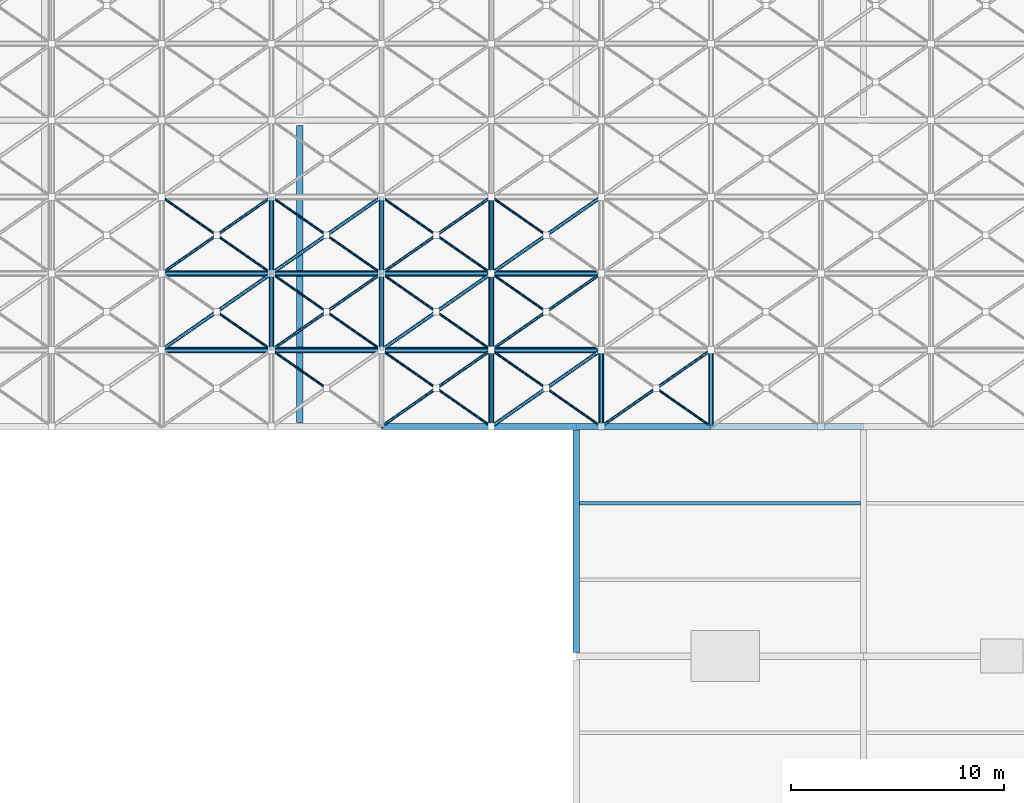
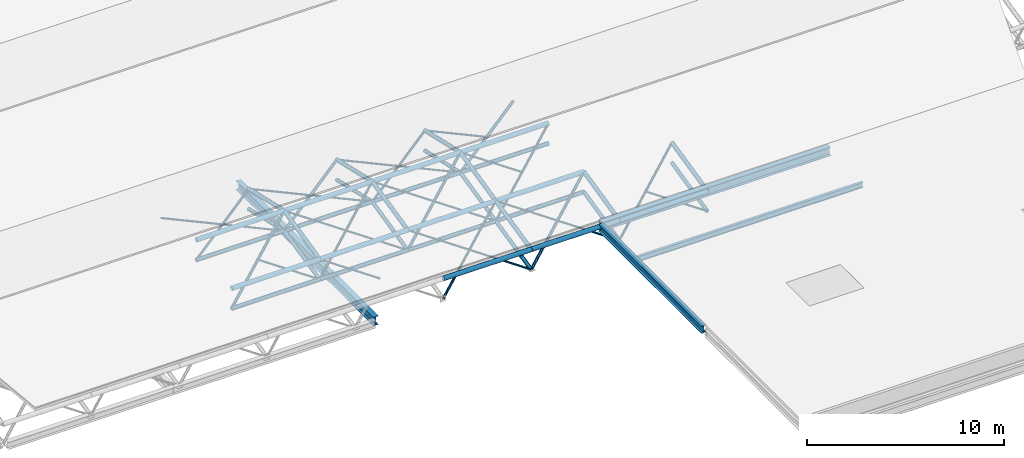
# One storey, part 35 of 110: 67 members, 4 beams.
"""IFC4 building model written with IfcOpenShell, lengths in metres."""

from ifc_helpers import new_model, si_unit, direction, frame, origin, origin_2d, place, context, subcontext, project, spatial, hollow_circle, i_section, extrude, material, material_profile, profile_set, type_object, element, save


model = new_model("IFC4")

# Units and contexts
model_context = context("Model", 3, precision=1e-05, world=origin(), true_north=direction((0.0, 1.0)))
body_context = subcontext(model_context, "Body", "Model", "MODEL_VIEW")
ifc_project = project(units=[si_unit("LENGTHUNIT", "METRE"), si_unit("AREAUNIT", "SQUARE_METRE"), si_unit("VOLUMEUNIT", "CUBIC_METRE"), si_unit("PLANEANGLEUNIT", "RADIAN"), si_unit("MASSUNIT", "GRAM", prefix="KILO")], contexts=[model_context])

# Site, building, storey
site_placement = place(None, origin())
site = spatial("IfcSite", under=ifc_project, at=site_placement, CompositionType="ELEMENT")
building_placement = place(site_placement, origin())
building = spatial("IfcBuilding", under=site, at=building_placement, Name="Tamarisk Ironworks Central Station", CompositionType="ELEMENT")
storey_placement = place(building_placement, frame((0.0, 0.0, 17.39990234375)))
storey = spatial("IfcBuildingStorey", under=building, at=storey_placement, Name="L03", CompositionType="ELEMENT", Elevation=17.39990234375)

# Beams
ifc_material_1 = material(Name="Structural steel S355J2", Category="steel")
ifc_material_profile_1 = material_profile(ifc_material_1, i_section(OverallWidth=0.159912109375, OverallDepth=0.330078125, WebThickness=0.007568359375, FlangeThickness=0.011474609375, at=origin_2d()), Name="IPE 330")
ifc_profile_set_1 = profile_set([ifc_material_profile_1], Name="Structural steel S355J2")
beam_type_1 = type_object("IfcBeamType", Name="BM-B06", PredefinedType="BEAM", material=ifc_profile_set_1)
beam_1_placement = place(storey_placement, frame((153.135009765625, 18.0, -0.324951171875), z_axis=(1.0, 0.0, 0.0), x_axis=(0.0, 1.0, 0.0)))
element("IfcBeam", 1, at=beam_1_placement, inside=storey, type_object=beam_type_1, Name="L03 secondary composite beam 0229", PredefinedType="BEAM", context=body_context, shape_type="SweptSolid", body=[
    extrude(i_section(OverallWidth=0.159912109375, OverallDepth=0.330078125, WebThickness=0.007568359375, FlangeThickness=0.011474609375, at=origin_2d()), origin(), (0.0, 0.0, 1.0), 13.22998046875),
])
ifc_material_profile_2 = material_profile(ifc_material_1, i_section(OverallWidth=0.300048828125, OverallDepth=0.5400390625, WebThickness=0.012451171875, FlangeThickness=0.02392578125, at=origin_2d()), Name="HEA 550")
ifc_profile_set_2 = profile_set([ifc_material_profile_2], Name="Structural steel S355J2")
beam_type_2 = type_object("IfcBeamType", Name="BM-G04", PredefinedType="BEAM", material=ifc_profile_set_2)
beam_2_placement = place(storey_placement, frame((140.0, 21.7880859375, -1.869873046875), z_axis=(0.0, 1.0, 0.0), x_axis=(-1.0, 0.0, 0.0)))
element("IfcBeam", 2, at=beam_2_placement, inside=storey, type_object=beam_type_2, Name="L03 primary girder Y-0613", PredefinedType="BEAM", context=body_context, shape_type="SweptSolid", body=[
    extrude(i_section(OverallWidth=0.300048828125, OverallDepth=0.5400390625, WebThickness=0.012451171875, FlangeThickness=0.02392578125, at=origin_2d()), origin(), (0.0, 0.0, 1.0), 13.969970703125),
])
beam_3_placement = place(storey_placement, frame((153.00390625, 21.60009765625, -0.429931640625), z_axis=(1.0, 0.0, 0.0), x_axis=(0.0, 1.0, 0.0)))
element("IfcBeam", 3, at=beam_3_placement, inside=storey, type_object=beam_type_2, Name="L03 primary girder X-0626", PredefinedType="BEAM", context=body_context, shape_type="SweptSolid", body=[
    extrude(i_section(OverallWidth=0.300048828125, OverallDepth=0.5400390625, WebThickness=0.012451171875, FlangeThickness=0.02392578125, at=origin_2d()), origin(), (0.0, 0.0, 1.0), 13.4921875),
])
ifc_material_profile_3 = material_profile(ifc_material_1, i_section(OverallWidth=0.300048828125, OverallDepth=0.43994140625, WebThickness=0.011474609375, FlangeThickness=0.02099609375, at=origin_2d()), Name="HEA 450")
ifc_profile_set_3 = profile_set([ifc_material_profile_3], Name="Structural steel S355J2")
beam_type_3 = type_object("IfcBeamType", Name="BM-G06", PredefinedType="BEAM", material=ifc_profile_set_3)
beam_4_placement = place(storey_placement, frame((153.0, 10.968017578125, -0.3798828125), z_axis=(0.0, 1.0, 0.0), x_axis=(-1.0, 0.0, 0.0)))
element("IfcBeam", 4, at=beam_4_placement, inside=storey, type_object=beam_type_3, Name="L03 primary girder Y-0691", PredefinedType="BEAM", context=body_context, shape_type="SweptSolid", body=[
    extrude(i_section(OverallWidth=0.300048828125, OverallDepth=0.43994140625, WebThickness=0.011474609375, FlangeThickness=0.02099609375, at=origin_2d()), origin(), (0.0, 0.0, 1.0), 10.4638671875),
])

# Members
ifc_material_2 = material(Name="Structural steel S355J2H", Category="steel")
ifc_material_profile_4 = material_profile(ifc_material_2, hollow_circle(Radius=0.136474609375, WallThickness=0.012451171875, at=origin_2d()), Name="CHS 273x12.5")
ifc_profile_set_4 = profile_set([ifc_material_profile_4], Name="Structural steel S355J2H")
member_type_1 = type_object("IfcMemberType", Name="MB-SFC01", PredefinedType="CHORD", material=ifc_profile_set_4)
for number, where, z_axis, x_axis, name in (
    (5, (143.833251953125, 21.60009765625, -0.469970703125), (1.0, 0.0, 0.0), (0.0, 1.0, 0.0), "Train shed space-frame top chord 1056"),
    (6, (149.0, 21.60009765625, -0.469970703125), (1.0, 0.0, 0.0), (0.0, 1.0, 0.0), "Train shed space-frame top chord 1057"),
):
    element("IfcMember", number, at=place(storey_placement, frame(where, z_axis=z_axis, x_axis=x_axis)), inside=storey, type_object=member_type_1, Name=name, PredefinedType="CHORD", context=body_context, shape_type="SweptSolid", body=[
        extrude(hollow_circle(Radius=0.136474609375, WallThickness=0.012451171875, at=origin_2d()), origin(), (0.0, 0.0, 1.0), 5.166748046875),
    ])
member_1_placement = place(storey_placement, frame((154.166748046875, 21.60009765625, -0.469970703125), z_axis=(1.0, 0.0, 0.0), x_axis=(0.0, 1.0, 0.0)))
element("IfcMember", 7, at=member_1_placement, inside=storey, type_object=member_type_1, Name="Train shed space-frame top chord 1058", PredefinedType="CHORD", context=body_context, shape_type="SweptSolid", body=[
    extrude(hollow_circle(Radius=0.136474609375, WallThickness=0.012451171875, at=origin_2d()), origin(), (0.0, 0.0, 1.0), 5.16650390625),
])
member_2_placement = place(storey_placement, frame((133.5, 25.199951171875, 0.35498046875), z_axis=(1.0, 0.0, 0.0), x_axis=(0.0, 1.0, 0.0)))
element("IfcMember", 8, at=member_2_placement, inside=storey, type_object=member_type_1, Name="Train shed space-frame top chord 1066", PredefinedType="CHORD", context=body_context, shape_type="SweptSolid", body=[
    extrude(hollow_circle(Radius=0.136474609375, WallThickness=0.012451171875, at=origin_2d()), origin(), (0.0, 0.0, 1.0), 5.166748046875),
])
member_3_placement = place(storey_placement, frame((138.666748046875, 25.199951171875, 0.35498046875), z_axis=(1.0, 0.0, 0.0), x_axis=(0.0, 1.0, 0.0)))
element("IfcMember", 9, at=member_3_placement, inside=storey, type_object=member_type_1, Name="Train shed space-frame top chord 1067", PredefinedType="CHORD", context=body_context, shape_type="SweptSolid", body=[
    extrude(hollow_circle(Radius=0.136474609375, WallThickness=0.012451171875, at=origin_2d()), origin(), (0.0, 0.0, 1.0), 5.16650390625),
])
for number, where, z_axis, x_axis, name in (
    (10, (143.833251953125, 25.199951171875, 0.35498046875), (1.0, 0.0, 0.0), (0.0, 1.0, 0.0), "Train shed space-frame top chord 1068"),
    (11, (149.0, 25.199951171875, 0.35498046875), (1.0, 0.0, 0.0), (0.0, 1.0, 0.0), "Train shed space-frame top chord 1069"),
    (12, (133.5, 28.800048828125, 1.18017578125), (1.0, 0.0, 0.0), (0.0, 1.0, 0.0), "Train shed space-frame top chord 1078"),
):
    element("IfcMember", number, at=place(storey_placement, frame(where, z_axis=z_axis, x_axis=x_axis)), inside=storey, type_object=member_type_1, Name=name, PredefinedType="CHORD", context=body_context, shape_type="SweptSolid", body=[
        extrude(hollow_circle(Radius=0.136474609375, WallThickness=0.012451171875, at=origin_2d()), origin(), (0.0, 0.0, 1.0), 5.166748046875),
    ])
member_4_placement = place(storey_placement, frame((138.666748046875, 28.800048828125, 1.18017578125), z_axis=(1.0, 0.0, 0.0), x_axis=(0.0, 1.0, 0.0)))
element("IfcMember", 13, at=member_4_placement, inside=storey, type_object=member_type_1, Name="Train shed space-frame top chord 1079", PredefinedType="CHORD", context=body_context, shape_type="SweptSolid", body=[
    extrude(hollow_circle(Radius=0.136474609375, WallThickness=0.012451171875, at=origin_2d()), origin(), (0.0, 0.0, 1.0), 5.16650390625),
])
for number, where, z_axis, x_axis, name in (
    (14, (143.833251953125, 28.800048828125, 1.18017578125), (1.0, 0.0, 0.0), (0.0, 1.0, 0.0), "Train shed space-frame top chord 1080"),
    (15, (149.0, 28.800048828125, 1.18017578125), (1.0, 0.0, 0.0), (0.0, 1.0, 0.0), "Train shed space-frame top chord 1081"),
):
    element("IfcMember", number, at=place(storey_placement, frame(where, z_axis=z_axis, x_axis=x_axis)), inside=storey, type_object=member_type_1, Name=name, PredefinedType="CHORD", context=body_context, shape_type="SweptSolid", body=[
        extrude(hollow_circle(Radius=0.136474609375, WallThickness=0.012451171875, at=origin_2d()), origin(), (0.0, 0.0, 1.0), 5.166748046875),
    ])
ifc_material_profile_5 = material_profile(ifc_material_2, hollow_circle(Radius=0.122314453125, WallThickness=0.012451171875, at=origin_2d()), Name="CHS 244.5x12.5")
ifc_profile_set_5 = profile_set([ifc_material_profile_5], Name="Structural steel S355J2H")
member_type_2 = type_object("IfcMemberType", Name="MB-SFC02", PredefinedType="CHORD", material=ifc_profile_set_5)
member_5_placement = place(storey_placement, frame((133.5, 25.199951171875, -0.89501953125), z_axis=(1.0, 0.0, 0.0), x_axis=(0.0, 1.0, 0.0)))
element("IfcMember", 16, at=member_5_placement, inside=storey, type_object=member_type_2, Name="Train shed space-frame bottom chord 0966", PredefinedType="CHORD", context=body_context, shape_type="SweptSolid", body=[
    extrude(hollow_circle(Radius=0.122314453125, WallThickness=0.012451171875, at=origin_2d()), origin(), (0.0, 0.0, 1.0), 5.166748046875),
])
member_6_placement = place(storey_placement, frame((138.666748046875, 25.199951171875, -0.89501953125), z_axis=(1.0, 0.0, 0.0), x_axis=(0.0, 1.0, 0.0)))
element("IfcMember", 17, at=member_6_placement, inside=storey, type_object=member_type_2, Name="Train shed space-frame bottom chord 0967", PredefinedType="CHORD", context=body_context, shape_type="SweptSolid", body=[
    extrude(hollow_circle(Radius=0.122314453125, WallThickness=0.012451171875, at=origin_2d()), origin(), (0.0, 0.0, 1.0), 5.16650390625),
])
for number, where, z_axis, x_axis, name in (
    (18, (143.833251953125, 25.199951171875, -0.89501953125), (1.0, 0.0, 0.0), (0.0, 1.0, 0.0), "Train shed space-frame bottom chord 0968"),
    (19, (149.0, 25.199951171875, -0.89501953125), (1.0, 0.0, 0.0), (0.0, 1.0, 0.0), "Train shed space-frame bottom chord 0969"),
    (20, (133.5, 28.800048828125, -0.06982421875), (1.0, 0.0, 0.0), (0.0, 1.0, 0.0), "Train shed space-frame bottom chord 0978"),
):
    element("IfcMember", number, at=place(storey_placement, frame(where, z_axis=z_axis, x_axis=x_axis)), inside=storey, type_object=member_type_2, Name=name, PredefinedType="CHORD", context=body_context, shape_type="SweptSolid", body=[
        extrude(hollow_circle(Radius=0.122314453125, WallThickness=0.012451171875, at=origin_2d()), origin(), (0.0, 0.0, 1.0), 5.166748046875),
    ])
member_7_placement = place(storey_placement, frame((138.666748046875, 28.800048828125, -0.06982421875), z_axis=(1.0, 0.0, 0.0), x_axis=(0.0, 1.0, 0.0)))
element("IfcMember", 21, at=member_7_placement, inside=storey, type_object=member_type_2, Name="Train shed space-frame bottom chord 0979", PredefinedType="CHORD", context=body_context, shape_type="SweptSolid", body=[
    extrude(hollow_circle(Radius=0.122314453125, WallThickness=0.012451171875, at=origin_2d()), origin(), (0.0, 0.0, 1.0), 5.16650390625),
])
for number, where, z_axis, x_axis, name in (
    (22, (143.833251953125, 28.800048828125, -0.06982421875), (1.0, 0.0, 0.0), (0.0, 1.0, 0.0), "Train shed space-frame bottom chord 0980"),
    (23, (149.0, 28.800048828125, -0.06982421875), (1.0, 0.0, 0.0), (0.0, 1.0, 0.0), "Train shed space-frame bottom chord 0981"),
):
    element("IfcMember", number, at=place(storey_placement, frame(where, z_axis=z_axis, x_axis=x_axis)), inside=storey, type_object=member_type_2, Name=name, PredefinedType="CHORD", context=body_context, shape_type="SweptSolid", body=[
        extrude(hollow_circle(Radius=0.122314453125, WallThickness=0.012451171875, at=origin_2d()), origin(), (0.0, 0.0, 1.0), 5.166748046875),
    ])
member_8_placement = place(storey_placement, frame((138.666748046875, 25.199951171875, 0.35498046875), z_axis=(0.0, 0.974722123001, 0.223420641241), x_axis=(-1.0, 0.0, 0.0)))
element("IfcMember", 24, at=member_8_placement, inside=storey, type_object=member_type_2, Name="Train shed space-frame top transverse chord 1128", PredefinedType="CHORD", context=body_context, shape_type="SweptSolid", body=[
    extrude(hollow_circle(Radius=0.122314453125, WallThickness=0.012451171875, at=origin_2d()), origin(), (0.0, 0.0, 1.0), 3.693359375),
])
member_9_placement = place(storey_placement, frame((138.666748046875, 28.800048828125, 1.18017578125), z_axis=(0.0, 0.974718823144, -0.223435037113), x_axis=(-1.0, 0.0, 0.0)))
element("IfcMember", 25, at=member_9_placement, inside=storey, type_object=member_type_2, Name="Train shed space-frame top transverse chord 1129", PredefinedType="CHORD", context=body_context, shape_type="SweptSolid", body=[
    extrude(hollow_circle(Radius=0.122314453125, WallThickness=0.012451171875, at=origin_2d()), origin(), (0.0, 0.0, 1.0), 3.693115234375),
])
member_10_placement = place(storey_placement, frame((143.833251953125, 25.199951171875, 0.35498046875), z_axis=(0.0, 0.974722123001, 0.223420641241), x_axis=(-1.0, 0.0, 0.0)))
element("IfcMember", 26, at=member_10_placement, inside=storey, type_object=member_type_2, Name="Train shed space-frame top transverse chord 1132", PredefinedType="CHORD", context=body_context, shape_type="SweptSolid", body=[
    extrude(hollow_circle(Radius=0.122314453125, WallThickness=0.012451171875, at=origin_2d()), origin(), (0.0, 0.0, 1.0), 3.693359375),
])
for number, where, z_axis, x_axis, name in (
    (27, (143.833251953125, 28.800048828125, 1.18017578125), (0.0, 0.974718823144, -0.223435037113), (-1.0, 0.0, 0.0), "Train shed space-frame top transverse chord 1133"),
    (28, (149.0, 21.60009765625, -0.469970703125), (0.0, 0.974733218107, 0.223372230857), (-1.0, 0.0, 0.0), "Train shed space-frame top transverse chord 1135"),
):
    element("IfcMember", number, at=place(storey_placement, frame(where, z_axis=z_axis, x_axis=x_axis)), inside=storey, type_object=member_type_2, Name=name, PredefinedType="CHORD", context=body_context, shape_type="SweptSolid", body=[
        extrude(hollow_circle(Radius=0.122314453125, WallThickness=0.012451171875, at=origin_2d()), origin(), (0.0, 0.0, 1.0), 3.693115234375),
    ])
member_11_placement = place(storey_placement, frame((149.0, 25.199951171875, 0.35498046875), z_axis=(0.0, 0.974722123001, 0.223420641241), x_axis=(-1.0, 0.0, 0.0)))
element("IfcMember", 29, at=member_11_placement, inside=storey, type_object=member_type_2, Name="Train shed space-frame top transverse chord 1136", PredefinedType="CHORD", context=body_context, shape_type="SweptSolid", body=[
    extrude(hollow_circle(Radius=0.122314453125, WallThickness=0.012451171875, at=origin_2d()), origin(), (0.0, 0.0, 1.0), 3.693359375),
])
for number, where, z_axis, x_axis, name in (
    (30, (149.0, 28.800048828125, 1.18017578125), (0.0, 0.974718823144, -0.223435037113), (-1.0, 0.0, 0.0), "Train shed space-frame top transverse chord 1137"),
    (31, (154.166748046875, 21.60009765625, -0.469970703125), (0.0, 0.974733218107, 0.223372230857), (-1.0, 0.0, 0.0), "Train shed space-frame top transverse chord 1139"),
    (32, (159.333251953125, 21.60009765625, -0.469970703125), (0.0, 0.974733218107, 0.223372230857), (-1.0, 0.0, 0.0), "Train shed space-frame top transverse chord 1143"),
):
    element("IfcMember", number, at=place(storey_placement, frame(where, z_axis=z_axis, x_axis=x_axis)), inside=storey, type_object=member_type_2, Name=name, PredefinedType="CHORD", context=body_context, shape_type="SweptSolid", body=[
        extrude(hollow_circle(Radius=0.122314453125, WallThickness=0.012451171875, at=origin_2d()), origin(), (0.0, 0.0, 1.0), 3.693115234375),
    ])
ifc_material_profile_6 = material_profile(ifc_material_2, hollow_circle(Radius=0.109619140625, WallThickness=0.010009765625, at=origin_2d()), Name="CHS 219.1x10")
ifc_profile_set_6 = profile_set([ifc_material_profile_6], Name="Structural steel S355J2H")
member_type_3 = type_object("IfcMemberType", Name="MB-SFC03", PredefinedType="CHORD", material=ifc_profile_set_6)
member_12_placement = place(storey_placement, frame((138.666748046875, 25.199951171875, -0.89501953125), z_axis=(0.0, 0.974722123001, 0.223420641241), x_axis=(-1.0, 0.0, 0.0)))
element("IfcMember", 33, at=member_12_placement, inside=storey, type_object=member_type_3, Name="Train shed space-frame transverse chord 1016", PredefinedType="CHORD", context=body_context, shape_type="SweptSolid", body=[
    extrude(hollow_circle(Radius=0.109619140625, WallThickness=0.010009765625, at=origin_2d()), origin(), (0.0, 0.0, 1.0), 3.693359375),
])
member_13_placement = place(storey_placement, frame((138.666748046875, 28.800048828125, -0.06982421875), z_axis=(0.0, 0.974718823144, -0.223435037113), x_axis=(-1.0, 0.0, 0.0)))
element("IfcMember", 34, at=member_13_placement, inside=storey, type_object=member_type_3, Name="Train shed space-frame transverse chord 1017", PredefinedType="CHORD", context=body_context, shape_type="SweptSolid", body=[
    extrude(hollow_circle(Radius=0.109619140625, WallThickness=0.010009765625, at=origin_2d()), origin(), (0.0, 0.0, 1.0), 3.693115234375),
])
member_14_placement = place(storey_placement, frame((143.833251953125, 25.199951171875, -0.89501953125), z_axis=(0.0, 0.974722123001, 0.223420641241), x_axis=(-1.0, 0.0, 0.0)))
element("IfcMember", 35, at=member_14_placement, inside=storey, type_object=member_type_3, Name="Train shed space-frame transverse chord 1020", PredefinedType="CHORD", context=body_context, shape_type="SweptSolid", body=[
    extrude(hollow_circle(Radius=0.109619140625, WallThickness=0.010009765625, at=origin_2d()), origin(), (0.0, 0.0, 1.0), 3.693359375),
])
for number, where, z_axis, x_axis, name in (
    (36, (143.833251953125, 28.800048828125, -0.06982421875), (0.0, 0.974718823144, -0.223435037113), (-1.0, 0.0, 0.0), "Train shed space-frame transverse chord 1021"),
    (37, (149.0, 21.60009765625, -1.719970703125), (0.0, 0.974733218107, 0.223372230857), (-1.0, 0.0, 0.0), "Train shed space-frame transverse chord 1023"),
):
    element("IfcMember", number, at=place(storey_placement, frame(where, z_axis=z_axis, x_axis=x_axis)), inside=storey, type_object=member_type_3, Name=name, PredefinedType="CHORD", context=body_context, shape_type="SweptSolid", body=[
        extrude(hollow_circle(Radius=0.109619140625, WallThickness=0.010009765625, at=origin_2d()), origin(), (0.0, 0.0, 1.0), 3.693115234375),
    ])
member_15_placement = place(storey_placement, frame((149.0, 25.199951171875, -0.89501953125), z_axis=(0.0, 0.974722123001, 0.223420641241), x_axis=(-1.0, 0.0, 0.0)))
element("IfcMember", 38, at=member_15_placement, inside=storey, type_object=member_type_3, Name="Train shed space-frame transverse chord 1024", PredefinedType="CHORD", context=body_context, shape_type="SweptSolid", body=[
    extrude(hollow_circle(Radius=0.109619140625, WallThickness=0.010009765625, at=origin_2d()), origin(), (0.0, 0.0, 1.0), 3.693359375),
])
for number, where, z_axis, x_axis, name in (
    (39, (149.0, 28.800048828125, -0.06982421875), (0.0, 0.974718823144, -0.223435037113), (-1.0, 0.0, 0.0), "Train shed space-frame transverse chord 1025"),
    (40, (154.166748046875, 21.60009765625, -1.719970703125), (0.0, 0.974733218107, 0.223372230857), (-1.0, 0.0, 0.0), "Train shed space-frame transverse chord 1027"),
    (41, (159.333251953125, 21.60009765625, -1.719970703125), (0.0, 0.974733218107, 0.223372230857), (-1.0, 0.0, 0.0), "Train shed space-frame transverse chord 1031"),
):
    element("IfcMember", number, at=place(storey_placement, frame(where, z_axis=z_axis, x_axis=x_axis)), inside=storey, type_object=member_type_3, Name=name, PredefinedType="CHORD", context=body_context, shape_type="SweptSolid", body=[
        extrude(hollow_circle(Radius=0.109619140625, WallThickness=0.010009765625, at=origin_2d()), origin(), (0.0, 0.0, 1.0), 3.693115234375),
    ])
ifc_material_profile_7 = material_profile(ifc_material_2, hollow_circle(Radius=0.084228515625, WallThickness=0.010009765625, at=origin_2d()), Name="CHS 168.3x10")
ifc_profile_set_7 = profile_set([ifc_material_profile_7], Name="Structural steel S355J2H")
member_type_4 = type_object("IfcMemberType", Name="MB-SFD01", PredefinedType="BRACE", material=ifc_profile_set_7)
member_16_placement = place(storey_placement, frame((133.5, 25.199951171875, -0.89501953125), z_axis=(0.779249385031, 0.542967038306, 0.312981135603), x_axis=(-0.571689073201, 0.82047035509, 0.0)))
element("IfcMember", 42, at=member_16_placement, inside=storey, type_object=member_type_4, Name="Train shed space-frame diagonal 1189", PredefinedType="BRACE", context=body_context, shape_type="SweptSolid", body=[
    extrude(hollow_circle(Radius=0.084228515625, WallThickness=0.010009765625, at=origin_2d()), origin(), (0.0, 0.0, 1.0), 6.63037109375),
])
member_17_placement = place(storey_placement, frame((138.666748046875, 28.800048828125, -0.06982421875), z_axis=(0.818615182779, 0.570384692849, 0.06730887525), x_axis=(-0.571681159291, 0.820475869305, 0.0)))
element("IfcMember", 43, at=member_17_placement, inside=storey, type_object=member_type_4, Name="Train shed space-frame diagonal 1199", PredefinedType="BRACE", context=body_context, shape_type="SweptSolid", body=[
    extrude(hollow_circle(Radius=0.084228515625, WallThickness=0.010009765625, at=origin_2d()), origin(), (0.0, 0.0, 1.0), 6.311279296875),
])
member_18_placement = place(storey_placement, frame((143.833251953125, 25.199951171875, -0.89501953125), z_axis=(0.779249385031, 0.542967038306, 0.312981135603), x_axis=(-0.571689073201, 0.82047035509, 0.0)))
element("IfcMember", 44, at=member_18_placement, inside=storey, type_object=member_type_4, Name="Train shed space-frame diagonal 1205", PredefinedType="BRACE", context=body_context, shape_type="SweptSolid", body=[
    extrude(hollow_circle(Radius=0.084228515625, WallThickness=0.010009765625, at=origin_2d()), origin(), (0.0, 0.0, 1.0), 6.63037109375),
])
member_19_placement = place(storey_placement, frame((149.0, 21.60009765625, -1.719970703125), z_axis=(0.779273944842, 0.542947328672, 0.312954177442), x_axis=(-0.57166297408, 0.820488539875, 0.0)))
element("IfcMember", 45, at=member_19_placement, inside=storey, type_object=member_type_4, Name="Train shed space-frame diagonal 1211", PredefinedType="BRACE", context=body_context, shape_type="SweptSolid", body=[
    extrude(hollow_circle(Radius=0.084228515625, WallThickness=0.010009765625, at=origin_2d()), origin(), (0.0, 0.0, 1.0), 6.630126953125),
])
member_20_placement = place(storey_placement, frame((149.0, 28.800048828125, -0.06982421875), z_axis=(0.818627942589, 0.570366631076, 0.06730674385), x_axis=(-0.57166297408, 0.820488539875, 0.0)))
element("IfcMember", 46, at=member_20_placement, inside=storey, type_object=member_type_4, Name="Train shed space-frame diagonal 1215", PredefinedType="BRACE", context=body_context, shape_type="SweptSolid", body=[
    extrude(hollow_circle(Radius=0.084228515625, WallThickness=0.010009765625, at=origin_2d()), origin(), (0.0, 0.0, 1.0), 6.3115234375),
])
ifc_material_profile_8 = material_profile(ifc_material_2, hollow_circle(Radius=0.06982421875, WallThickness=0.008056640625, at=origin_2d()), Name="CHS 139.7x8")
ifc_profile_set_8 = profile_set([ifc_material_profile_8], Name="Structural steel S355J2H")
member_type_5 = type_object("IfcMemberType", Name="MB-SFD02", PredefinedType="BRACE", material=ifc_profile_set_8)
member_21_placement = place(storey_placement, frame((133.5, 28.800048828125, -0.06982421875), z_axis=(0.818627942589, 0.570366631076, 0.06730674385), x_axis=(-0.57166297408, 0.820488539875, 0.0)))
element("IfcMember", 47, at=member_21_placement, inside=storey, type_object=member_type_5, Name="Train shed space-frame diagonal 1191", PredefinedType="BRACE", context=body_context, shape_type="SweptSolid", body=[
    extrude(hollow_circle(Radius=0.06982421875, WallThickness=0.008056640625, at=origin_2d()), origin(), (0.0, 0.0, 1.0), 6.3115234375),
])
for number, where, z_axis, x_axis, name in (
    (48, (138.666748046875, 25.199951171875, -0.89501953125), (0.779234922088, 0.542982617952, 0.31299011614), (-0.571707258436, 0.820457683645, 0.0), "Train shed space-frame diagonal 1197"),
    (49, (143.833251953125, 21.60009765625, -1.719970703125), (0.779273944842, 0.542947328672, 0.312954177442), (-0.57166297408, 0.820488539875, 0.0), "Train shed space-frame diagonal 1203"),
):
    element("IfcMember", number, at=place(storey_placement, frame(where, z_axis=z_axis, x_axis=x_axis)), inside=storey, type_object=member_type_5, Name=name, PredefinedType="BRACE", context=body_context, shape_type="SweptSolid", body=[
        extrude(hollow_circle(Radius=0.06982421875, WallThickness=0.008056640625, at=origin_2d()), origin(), (0.0, 0.0, 1.0), 6.630126953125),
    ])
member_22_placement = place(storey_placement, frame((143.833251953125, 28.800048828125, -0.06982421875), z_axis=(0.818627942589, 0.570366631076, 0.06730674385), x_axis=(-0.57166297408, 0.820488539875, 0.0)))
element("IfcMember", 50, at=member_22_placement, inside=storey, type_object=member_type_5, Name="Train shed space-frame diagonal 1207", PredefinedType="BRACE", context=body_context, shape_type="SweptSolid", body=[
    extrude(hollow_circle(Radius=0.06982421875, WallThickness=0.008056640625, at=origin_2d()), origin(), (0.0, 0.0, 1.0), 6.3115234375),
])
member_23_placement = place(storey_placement, frame((149.0, 25.199951171875, -0.89501953125), z_axis=(0.779249385031, 0.542967038306, 0.312981135603), x_axis=(-0.571689073201, 0.82047035509, 0.0)))
element("IfcMember", 51, at=member_23_placement, inside=storey, type_object=member_type_5, Name="Train shed space-frame diagonal 1213", PredefinedType="BRACE", context=body_context, shape_type="SweptSolid", body=[
    extrude(hollow_circle(Radius=0.06982421875, WallThickness=0.008056640625, at=origin_2d()), origin(), (0.0, 0.0, 1.0), 6.63037109375),
])
member_24_placement = place(storey_placement, frame((154.166748046875, 21.60009765625, -1.719970703125), z_axis=(0.779259482852, 0.542962908735, 0.312963157772), x_axis=(-0.571681159291, 0.820475869305, 0.0)))
element("IfcMember", 52, at=member_24_placement, inside=storey, type_object=member_type_5, Name="Train shed space-frame diagonal 1219", PredefinedType="BRACE", context=body_context, shape_type="SweptSolid", body=[
    extrude(hollow_circle(Radius=0.06982421875, WallThickness=0.008056640625, at=origin_2d()), origin(), (0.0, 0.0, 1.0), 6.630126953125),
])
ifc_material_profile_9 = material_profile(ifc_material_2, hollow_circle(Radius=0.05712890625, WallThickness=0.00634765625, at=origin_2d()), Name="CHS 114.3x6.3")
ifc_profile_set_9 = profile_set([ifc_material_profile_9], Name="Structural steel S355J2H")
member_type_6 = type_object("IfcMemberType", Name="MB-SFD03", PredefinedType="BRACE", material=ifc_profile_set_9)
member_25_placement = place(storey_placement, frame((138.666748046875, 25.199951171875, -0.89501953125), z_axis=(-0.779231423252, 0.542975884106, 0.313010508283), x_axis=(-0.571704213709, -0.820459805248, 0.0)))
element("IfcMember", 53, at=member_25_placement, inside=storey, type_object=member_type_6, Name="Train shed space-frame split counter-diagonal lower 1190", PredefinedType="BRACE", context=body_context, shape_type="SweptSolid", body=[
    extrude(hollow_circle(Radius=0.05712890625, WallThickness=0.00634765625, at=origin_2d()), origin(), (0.0, 0.0, 1.0), 3.26025390625),
])
for number, where, z_axis, x_axis, name in (
    (54, (138.666748046875, 28.800048828125, -0.06982421875), (-0.81862545828, 0.570368646704, 0.067319877544), (-0.571665501983, -0.820486778591, 0.0), "Train shed space-frame split counter-diagonal lower 1192"),
    (55, (136.038330078125, 30.63134765625, 0.146240234375), (-0.81862545828, 0.570368646704, 0.067319877544), (-0.571665501983, -0.820486778591, 0.0), "Train shed space-frame split counter-diagonal upper 1192"),
):
    element("IfcMember", number, at=place(storey_placement, frame(where, z_axis=z_axis, x_axis=x_axis)), inside=storey, type_object=member_type_6, Name=name, PredefinedType="BRACE", context=body_context, shape_type="SweptSolid", body=[
        extrude(hollow_circle(Radius=0.05712890625, WallThickness=0.00634765625, at=origin_2d()), origin(), (0.0, 0.0, 1.0), 3.100830078125),
    ])
for number, where, z_axis, x_axis, name in (
    (56, (141.20703125, 23.429931640625, -0.665283203125), (-0.779251958926, 0.542967486998, 0.312973948712), (-0.571688120068, -0.820471019216, 0.0), "Train shed space-frame split counter-diagonal upper 1196"),
    (57, (143.833251953125, 25.199951171875, -0.89501953125), (-0.779202006797, 0.5430075686, 0.313028773514), (-0.571741198525, -0.820434032637, 0.0), "Train shed space-frame split counter-diagonal lower 1198"),
    (58, (141.20703125, 27.02978515625, 0.159912109375), (-0.779220271205, 0.543020296637, 0.312961221852), (-0.571741198525, -0.820434032637, 0.0), "Train shed space-frame split counter-diagonal upper 1198"),
):
    element("IfcMember", number, at=place(storey_placement, frame(where, z_axis=z_axis, x_axis=x_axis)), inside=storey, type_object=member_type_6, Name=name, PredefinedType="BRACE", context=body_context, shape_type="SweptSolid", body=[
        extrude(hollow_circle(Radius=0.05712890625, WallThickness=0.00634765625, at=origin_2d()), origin(), (0.0, 0.0, 1.0), 3.260009765625),
    ])
for number, where, z_axis, x_axis, name in (
    (59, (143.833251953125, 28.800048828125, -0.06982421875), (-0.81862545828, 0.570368646704, 0.067319877544), (-0.571665501983, -0.820486778591, 0.0), "Train shed space-frame split counter-diagonal lower 1200"),
    (60, (141.205078125, 30.63134765625, 0.146240234375), (-0.81862545828, 0.570368646704, 0.067319877544), (-0.571665501983, -0.820486778591, 0.0), "Train shed space-frame split counter-diagonal upper 1200"),
):
    element("IfcMember", number, at=place(storey_placement, frame(where, z_axis=z_axis, x_axis=x_axis)), inside=storey, type_object=member_type_6, Name=name, PredefinedType="BRACE", context=body_context, shape_type="SweptSolid", body=[
        extrude(hollow_circle(Radius=0.05712890625, WallThickness=0.00634765625, at=origin_2d()), origin(), (0.0, 0.0, 1.0), 3.100830078125),
    ])
for number, where, z_axis, x_axis, name in (
    (61, (149.0, 21.60009765625, -1.719970703125), (-0.779251958926, 0.542967486998, 0.312973948712), (-0.571688120068, -0.820471019216, 0.0), "Train shed space-frame split counter-diagonal lower 1204"),
    (62, (146.373779296875, 23.429931640625, -0.665283203125), (-0.779281371438, 0.542935800781, 0.31295568434), (-0.571651135352, -0.820496788203, 0.0), "Train shed space-frame split counter-diagonal upper 1204"),
    (63, (149.0, 25.199951171875, -0.89501953125), (-0.779202006797, 0.5430075686, 0.313028773514), (-0.571741198525, -0.820434032637, 0.0), "Train shed space-frame split counter-diagonal lower 1206"),
):
    element("IfcMember", number, at=place(storey_placement, frame(where, z_axis=z_axis, x_axis=x_axis)), inside=storey, type_object=member_type_6, Name=name, PredefinedType="BRACE", context=body_context, shape_type="SweptSolid", body=[
        extrude(hollow_circle(Radius=0.05712890625, WallThickness=0.00634765625, at=origin_2d()), origin(), (0.0, 0.0, 1.0), 3.260009765625),
    ])
member_26_placement = place(storey_placement, frame((146.373779296875, 27.02978515625, 0.159912109375), z_axis=(-0.779249686219, 0.542988609915, 0.312942959707), x_axis=(-0.571704213709, -0.820459805248, 0.0)))
element("IfcMember", 64, at=member_26_placement, inside=storey, type_object=member_type_6, Name="Train shed space-frame split counter-diagonal upper 1206", PredefinedType="BRACE", context=body_context, shape_type="SweptSolid", body=[
    extrude(hollow_circle(Radius=0.05712890625, WallThickness=0.00634765625, at=origin_2d()), origin(), (0.0, 0.0, 1.0), 3.26025390625),
])
for number, where, z_axis, x_axis, name in (
    (65, (149.0, 28.800048828125, -0.06982421875), (-0.81862545828, 0.570368646704, 0.067319877544), (-0.571665501983, -0.820486778591, 0.0), "Train shed space-frame split counter-diagonal lower 1208"),
    (66, (146.37158203125, 30.63134765625, 0.146240234375), (-0.81862545828, 0.570368646704, 0.067319877544), (-0.571665501983, -0.820486778591, 0.0), "Train shed space-frame split counter-diagonal upper 1208"),
):
    element("IfcMember", number, at=place(storey_placement, frame(where, z_axis=z_axis, x_axis=x_axis)), inside=storey, type_object=member_type_6, Name=name, PredefinedType="BRACE", context=body_context, shape_type="SweptSolid", body=[
        extrude(hollow_circle(Radius=0.05712890625, WallThickness=0.00634765625, at=origin_2d()), origin(), (0.0, 0.0, 1.0), 3.100830078125),
    ])
for number, where, z_axis, x_axis, name in (
    (67, (154.166748046875, 21.60009765625, -1.719970703125), (-0.779281371438, 0.542935800781, 0.31295568434), (-0.571651135352, -0.820496788203, 0.0), "Train shed space-frame split counter-diagonal lower 1212"),
    (68, (151.540283203125, 23.429931640625, -0.665283203125), (-0.779251958926, 0.542967486998, 0.312973948712), (-0.571688120068, -0.820471019216, 0.0), "Train shed space-frame split counter-diagonal upper 1212"),
    (69, (151.540283203125, 27.02978515625, 0.159912109375), (-0.779220271205, 0.543020296637, 0.312961221852), (-0.571741198525, -0.820434032637, 0.0), "Train shed space-frame split counter-diagonal upper 1214"),
):
    element("IfcMember", number, at=place(storey_placement, frame(where, z_axis=z_axis, x_axis=x_axis)), inside=storey, type_object=member_type_6, Name=name, PredefinedType="BRACE", context=body_context, shape_type="SweptSolid", body=[
        extrude(hollow_circle(Radius=0.05712890625, WallThickness=0.00634765625, at=origin_2d()), origin(), (0.0, 0.0, 1.0), 3.260009765625),
    ])
member_27_placement = place(storey_placement, frame((151.538330078125, 30.63134765625, 0.146240234375), z_axis=(-0.81862545828, 0.570368646704, 0.067319877544), x_axis=(-0.571665501983, -0.820486778591, 0.0)))
element("IfcMember", 70, at=member_27_placement, inside=storey, type_object=member_type_6, Name="Train shed space-frame split counter-diagonal upper 1216", PredefinedType="BRACE", context=body_context, shape_type="SweptSolid", body=[
    extrude(hollow_circle(Radius=0.05712890625, WallThickness=0.00634765625, at=origin_2d()), origin(), (0.0, 0.0, 1.0), 3.100830078125),
])
member_28_placement = place(storey_placement, frame((159.333251953125, 21.60009765625, -1.719970703125), z_axis=(-0.779251958926, 0.542967486998, 0.312973948712), x_axis=(-0.571688120068, -0.820471019216, 0.0)))
element("IfcMember", 71, at=member_28_placement, inside=storey, type_object=member_type_6, Name="Train shed space-frame split counter-diagonal lower 1220", PredefinedType="BRACE", context=body_context, shape_type="SweptSolid", body=[
    extrude(hollow_circle(Radius=0.05712890625, WallThickness=0.00634765625, at=origin_2d()), origin(), (0.0, 0.0, 1.0), 3.260009765625),
])

save(model, "model.ifc")
